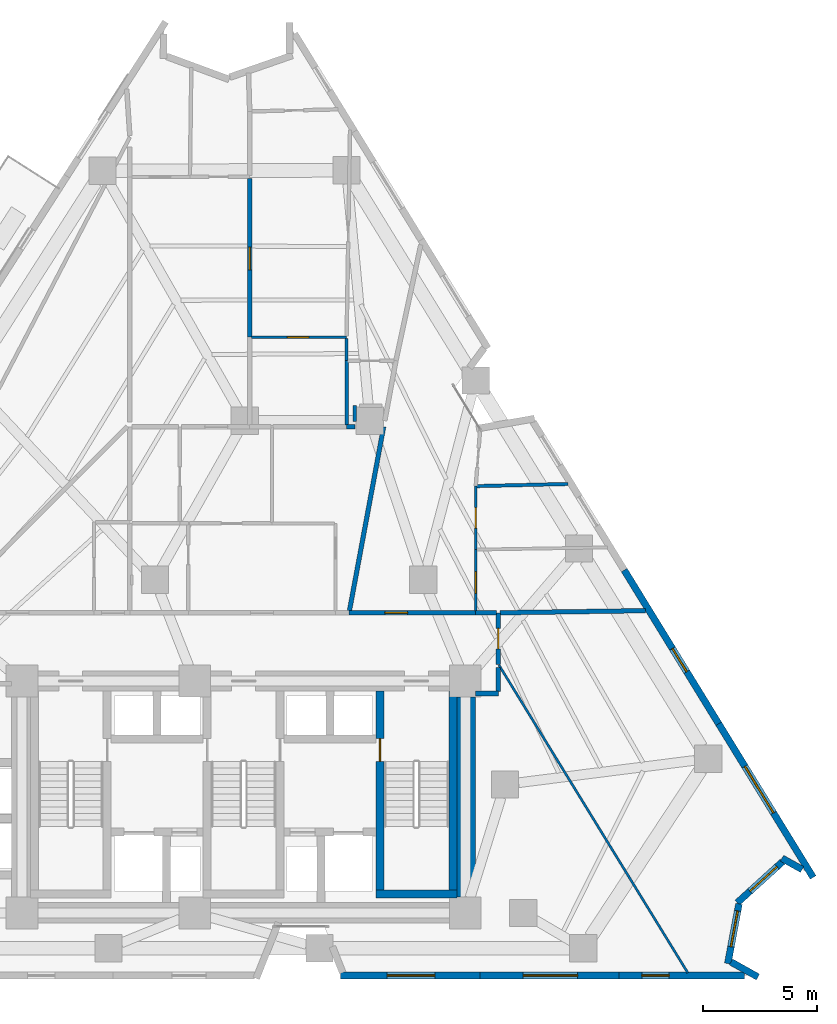
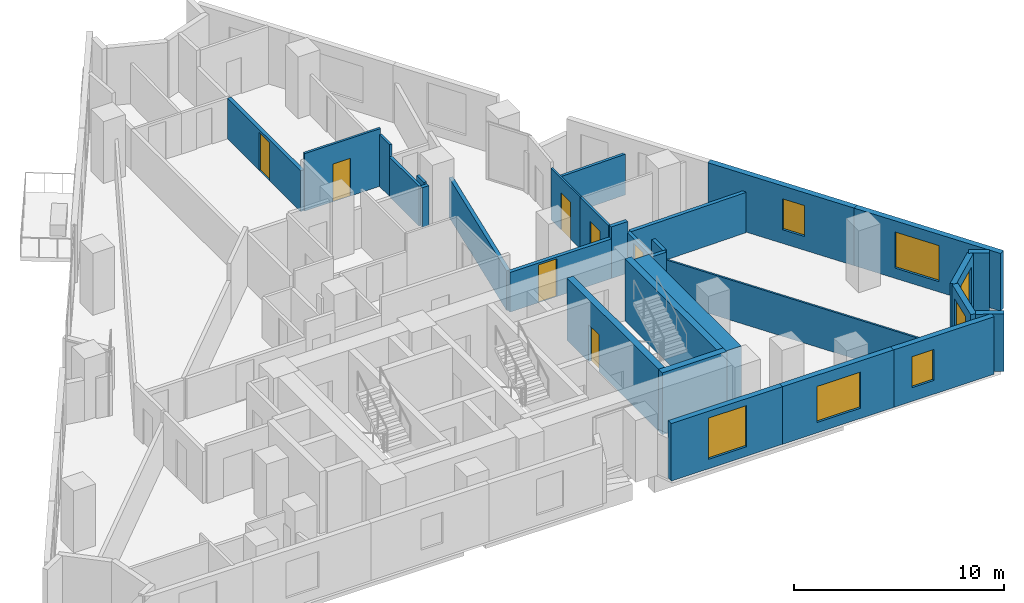
# One storey, part 8 of 13: 30 walls, 7 doors, 7 windows, 14 openings.
"""IFC4 building model written with IfcOpenShell, lengths in metres."""

from ifc_helpers import new_model, si_unit, direction, frame, frame_2d, origin, place, context, subcontext, project, spatial, rectangle, extrude, material, layer, layer_set, type_object, element, fill, save


model = new_model("IFC4")

# Units and contexts
model_context = context("Model", 3, precision=1e-05, world=origin(), true_north=direction((0.0, 1.0)))
body_context = subcontext(model_context, "Body", "Model", "MODEL_VIEW")
ifc_project = project(units=[si_unit("LENGTHUNIT", "METRE"), si_unit("AREAUNIT", "SQUARE_METRE"), si_unit("VOLUMEUNIT", "CUBIC_METRE"), si_unit("PLANEANGLEUNIT", "RADIAN"), si_unit("MASSUNIT", "GRAM", prefix="KILO")], contexts=[model_context])

# Site, building, storey
site_placement = place(None, origin())
site = spatial("IfcSite", under=ifc_project, at=site_placement, CompositionType="ELEMENT")
building_placement = place(site_placement, origin())
building = spatial("IfcBuilding", under=site, at=building_placement, Name="Almagre Mirador Tower", CompositionType="ELEMENT")
storey_placement = place(building_placement, frame((0.0, 0.0, 78.60009765625)))
storey = spatial("IfcBuildingStorey", under=building, at=storey_placement, Name="L19", CompositionType="ELEMENT", Elevation=78.60009765625)

# Wall, opening, window
ifc_material_1 = material(Name="Precast concrete C50/60", Category="concrete")
ifc_layer_1 = layer(ifc_material_1, 0.300048828125)
ifc_layer_set_1 = layer_set([ifc_layer_1], Name="Precast concrete C50/60")
wall_type_1 = type_object("IfcWallType", Name="WAL-EXT-300", PredefinedType="SOLIDWALL", material=ifc_layer_set_1)
wall_1_placement = place(storey_placement, frame((54.04052734375, 19.629150390625, 0.0), z_axis=(0.0, 0.0, 1.0), x_axis=(0.523661280051, -0.851926560083, 0.0)))
wall_1 = element("IfcWall", 1, at=wall_1_placement, inside=storey, type_object=wall_type_1, Name="L19 expressed almagre precast frame wall 16", PredefinedType="SOLIDWALL", context=body_context, shape_type="SweptSolid", body=[
    extrude(rectangle(XDim=7.93408203125, YDim=0.300048828125, at=frame_2d((3.967041015625, 0.0))), origin(), (0.0, 0.0, 1.0), 3.349853515625),
])
opening_1_placement = place(wall_1_placement, frame((4.050048828125, 0.0, 0.800048828125)))
opening_1 = element("IfcOpeningElement", 2, at=opening_1_placement, cuts=wall_1, Name="Opening WN-04", PredefinedType="OPENING", context=body_context, shape_type="SweptSolid", body=[
    extrude(rectangle(XDim=1.199951171875, YDim=1.800048828125, at=frame_2d((0.60009765625, 0.89990234375))), frame((0.0, 0.159902, 0.0), z_axis=(0.0, -1.0, 0.0), x_axis=(1.0, 0.0, 0.0)), (0.0, 0.0, 1.0), 0.320049),
])
ifc_material_2 = material(Name="Dark solar-control laminated hurricane glass", Category="glass")
window_type_1 = type_object("IfcWindowType", Name="WIN-1200X1800", PartitioningType="SINGLE_PANEL", PredefinedType="WINDOW", material=ifc_material_2)
window_1_placement = place(opening_1_placement, origin())
window_1 = element("IfcWindow", 3, at=window_1_placement, inside=storey, type_object=window_type_1, Name="L19 recessed hurricane window L19-RST-D", OverallHeight=1.800048828125, OverallWidth=1.199951171875, PartitioningType="SINGLE_PANEL", PredefinedType="WINDOW", context=body_context, shape_type="SweptSolid", body=[
    extrude(rectangle(XDim=1.199951171875, YDim=1.800048828125, at=frame_2d((0.60009765625, 0.89990234375))), frame((0.0, 0.030029296875, 0.0), z_axis=(0.0, -1.0, 0.0), x_axis=(1.0, 0.0, 0.0)), (0.0, 0.0, 1.0), 0.06005859375),
])
fill(opening_1, window_1)

wall_2_placement = place(storey_placement, frame((58.1953125, 12.869873046875, 0.0), z_axis=(0.0, 0.0, 1.0), x_axis=(0.52368361247, -0.851912832413, 0.0)))
wall_2 = element("IfcWall", 4, at=wall_2_placement, inside=storey, type_object=wall_type_1, Name="L19 expressed almagre precast frame wall 17", PredefinedType="SOLIDWALL", context=body_context, shape_type="SweptSolid", body=[
    extrude(rectangle(XDim=7.934326171875, YDim=0.300048828125, at=frame_2d((3.96728515625, 0.0))), origin(), (0.0, 0.0, 1.0), 3.349853515625),
])
opening_2_placement = place(wall_2_placement, frame((2.199951171875, 0.0, 0.60009765625)))
opening_2 = element("IfcOpeningElement", 5, at=opening_2_placement, cuts=wall_2, Name="Opening WN-02", PredefinedType="OPENING", context=body_context, shape_type="SweptSolid", body=[
    extrude(rectangle(XDim=2.39990234375, YDim=2.10009765625, at=frame_2d((1.199951171875, 1.050048828125))), frame((0.0, 0.159902, 0.0), z_axis=(0.0, -1.0, 0.0), x_axis=(1.0, 0.0, 0.0)), (0.0, 0.0, 1.0), 0.320049),
])
ifc_material_3 = material(Name="Dark solar-control laminated hurricane glass", Category="glass")
window_type_2 = type_object("IfcWindowType", Name="WIN-2400X2100", PartitioningType="TRIPLE_PANEL_VERTICAL", PredefinedType="WINDOW", material=ifc_material_3)
window_2_placement = place(opening_2_placement, origin())
window_2 = element("IfcWindow", 6, at=window_2_placement, inside=storey, type_object=window_type_2, Name="L19 recessed hurricane window L19-RST-D", OverallHeight=2.10009765625, OverallWidth=2.39990234375, PartitioningType="SINGLE_PANEL", PredefinedType="WINDOW", context=body_context, shape_type="SweptSolid", body=[
    extrude(rectangle(XDim=2.39990234375, YDim=2.10009765625, at=frame_2d((1.199951171875, 1.050048828125))), frame((0.0, 0.030029296875, 0.0), z_axis=(0.0, -1.0, 0.0), x_axis=(1.0, 0.0, 0.0)), (0.0, 0.0, 1.0), 0.06005859375),
])
fill(opening_2, window_2)

# Wall
wall_3_placement = place(storey_placement, frame((61.862548828125, 6.4619140625, 0.0), z_axis=(0.0, 0.0, 1.0), x_axis=(-0.872678236231, 0.488295705499, 0.0)))
element("IfcWall", 7, at=wall_3_placement, inside=storey, type_object=wall_type_1, Name="L19 expressed almagre precast frame wall 18", PredefinedType="SOLIDWALL", context=body_context, shape_type="SweptSolid", body=[
    extrude(rectangle(XDim=1.014892578125, YDim=0.300048828125, at=frame_2d((0.50732421875, 0.0))), origin(), (0.0, 0.0, 1.0), 3.349853515625),
])

# Wall, opening, window
wall_4_placement = place(storey_placement, frame((61.002685546875, 6.8017578125, 0.0), z_axis=(0.0, 0.0, 1.0), x_axis=(-0.741163448221, -0.671324618215, 0.0)))
wall_4 = element("IfcWall", 8, at=wall_4_placement, inside=storey, type_object=wall_type_1, Name="L19 expressed almagre precast frame wall 19", PredefinedType="SOLIDWALL", context=body_context, shape_type="SweptSolid", body=[
    extrude(rectangle(XDim=2.688232421875, YDim=0.300048828125, at=frame_2d((1.34423828125, 0.0))), origin(), (0.0, 0.0, 1.0), 3.349853515625),
])
opening_3_placement = place(wall_4_placement, frame((0.330078125, 0.0, 0.550048828125)))
opening_3 = element("IfcOpeningElement", 9, at=opening_3_placement, cuts=wall_4, Name="Opening WN-06", PredefinedType="OPENING", context=body_context, shape_type="SweptSolid", body=[
    extrude(rectangle(XDim=1.60009765625, YDim=2.199951171875, at=frame_2d((0.800048828125, 1.10009765625))), frame((0.0, 0.159902, 0.0), z_axis=(0.0, -1.0, 0.0), x_axis=(1.0, 0.0, 0.0)), (0.0, 0.0, 1.0), 0.320049),
])
ifc_material_4 = material(Name="Dark solar-control laminated hurricane glass", Category="glass")
window_type_3 = type_object("IfcWindowType", Name="WIN-1600X2200", PartitioningType="DOUBLE_PANEL_VERTICAL", PredefinedType="WINDOW", material=ifc_material_4)
window_3_placement = place(opening_3_placement, origin())
window_3 = element("IfcWindow", 10, at=window_3_placement, inside=storey, type_object=window_type_3, Name="L19 recessed hurricane window L19-RST-D", OverallHeight=2.199951171875, OverallWidth=1.60009765625, PartitioningType="SINGLE_PANEL", PredefinedType="WINDOW", context=body_context, shape_type="SweptSolid", body=[
    extrude(rectangle(XDim=1.60009765625, YDim=2.199951171875, at=frame_2d((0.800048828125, 1.10009765625))), frame((0.0, 0.030029296875, 0.0), z_axis=(0.0, -1.0, 0.0), x_axis=(1.0, 0.0, 0.0)), (0.0, 0.0, 1.0), 0.06005859375),
])
fill(opening_3, window_3)

wall_5_placement = place(storey_placement, frame((59.08740234375, 4.948486328125, 0.0), z_axis=(0.0, 0.0, 1.0), x_axis=(-0.183786629236, -0.982966161632, 0.0)))
wall_5 = element("IfcWall", 11, at=wall_5_placement, inside=storey, type_object=wall_type_1, Name="L19 expressed almagre precast frame wall 20", PredefinedType="SOLIDWALL", context=body_context, shape_type="SweptSolid", body=[
    extrude(rectangle(XDim=2.672607421875, YDim=0.300048828125, at=frame_2d((1.33642578125, 0.0))), origin(), (0.0, 0.0, 1.0), 3.349853515625),
])
opening_4_placement = place(wall_5_placement, frame((0.31494140625, 0.0, 0.550048828125)))
opening_4 = element("IfcOpeningElement", 12, at=opening_4_placement, cuts=wall_5, Name="Opening WN-06", PredefinedType="OPENING", context=body_context, shape_type="SweptSolid", body=[
    extrude(rectangle(XDim=1.60009765625, YDim=2.199951171875, at=frame_2d((0.800048828125, 1.10009765625))), frame((0.0, 0.159902, 0.0), z_axis=(0.0, -1.0, 0.0), x_axis=(1.0, 0.0, 0.0)), (0.0, 0.0, 1.0), 0.320049),
])
window_4_placement = place(opening_4_placement, origin())
window_4 = element("IfcWindow", 13, at=window_4_placement, inside=storey, type_object=window_type_3, Name="L19 recessed hurricane window L19-RST-D", OverallHeight=2.199951171875, OverallWidth=1.60009765625, PartitioningType="SINGLE_PANEL", PredefinedType="WINDOW", context=body_context, shape_type="SweptSolid", body=[
    extrude(rectangle(XDim=1.60009765625, YDim=2.199951171875, at=frame_2d((0.800048828125, 1.10009765625))), frame((0.0, 0.030029296875, 0.0), z_axis=(0.0, -1.0, 0.0), x_axis=(1.0, 0.0, 0.0)), (0.0, 0.0, 1.0), 0.06005859375),
])
fill(opening_4, window_4)

# Wall
wall_6_placement = place(storey_placement, frame((58.7353515625, 2.3955078125, 0.0), z_axis=(0.0, 0.0, 1.0), x_axis=(0.872747775204, -0.488171405221, 0.0)))
element("IfcWall", 14, at=wall_6_placement, inside=storey, type_object=wall_type_1, Name="L19 expressed almagre precast frame wall 21", PredefinedType="SOLIDWALL", context=body_context, shape_type="SweptSolid", body=[
    extrude(rectangle(XDim=1.35986328125, YDim=0.300048828125, at=frame_2d((0.679931640625, 0.0))), origin(), (0.0, 0.0, 1.0), 3.349853515625),
])

# Wall, opening, window
wall_7_placement = place(storey_placement, frame((59.340087890625, 1.800048828125, 0.0), z_axis=(0.0, 0.0, 1.0), x_axis=(-1.0, 0.0, 0.0)))
wall_7 = element("IfcWall", 15, at=wall_7_placement, inside=storey, type_object=wall_type_1, Name="L19 expressed almagre precast frame wall 22", PredefinedType="SOLIDWALL", context=body_context, shape_type="SweptSolid", body=[
    extrude(rectangle(XDim=5.524169921875, YDim=0.300048828125, at=frame_2d((2.76220703125, 0.0))), origin(), (0.0, 0.0, 1.0), 3.349853515625),
])
opening_5_placement = place(wall_7_placement, frame((3.324951171875, 0.0, 0.800048828125)))
opening_5 = element("IfcOpeningElement", 16, at=opening_5_placement, cuts=wall_7, Name="Opening WN-04", PredefinedType="OPENING", context=body_context, shape_type="SweptSolid", body=[
    extrude(rectangle(XDim=1.199951171875, YDim=1.800048828125, at=frame_2d((0.60009765625, 0.89990234375))), frame((0.0, 0.159902, 0.0), z_axis=(0.0, -1.0, 0.0), x_axis=(1.0, 0.0, 0.0)), (0.0, 0.0, 1.0), 0.320049),
])
window_5_placement = place(opening_5_placement, origin())
window_5 = element("IfcWindow", 17, at=window_5_placement, inside=storey, type_object=window_type_1, Name="L19 recessed hurricane window L19-RST-C", OverallHeight=1.800048828125, OverallWidth=1.199951171875, PartitioningType="SINGLE_PANEL", PredefinedType="WINDOW", context=body_context, shape_type="SweptSolid", body=[
    extrude(rectangle(XDim=1.199951171875, YDim=1.800048828125, at=frame_2d((0.60009765625, 0.89990234375))), frame((0.0, 0.030029296875, 0.0), z_axis=(0.0, -1.0, 0.0), x_axis=(1.0, 0.0, 0.0)), (0.0, 0.0, 1.0), 0.06005859375),
])
fill(opening_5, window_5)

wall_8_placement = place(storey_placement, frame((53.81591796875, 1.800048828125, 0.0), z_axis=(0.0, 0.0, 1.0), x_axis=(-1.0, 0.0, 0.0)))
wall_8 = element("IfcWall", 18, at=wall_8_placement, inside=storey, type_object=wall_type_1, Name="L19 expressed almagre precast frame wall 23", PredefinedType="SOLIDWALL", context=body_context, shape_type="SweptSolid", body=[
    extrude(rectangle(XDim=6.1240234375, YDim=0.300048828125, at=frame_2d((3.06201171875, 0.0))), origin(), (0.0, 0.0, 1.0), 3.349853515625),
])
opening_6_placement = place(wall_8_placement, frame((1.824951171875, 0.0, 0.60009765625)))
opening_6 = element("IfcOpeningElement", 19, at=opening_6_placement, cuts=wall_8, Name="Opening WN-02", PredefinedType="OPENING", context=body_context, shape_type="SweptSolid", body=[
    extrude(rectangle(XDim=2.39990234375, YDim=2.10009765625, at=frame_2d((1.199951171875, 1.050048828125))), frame((0.0, 0.159902, 0.0), z_axis=(0.0, -1.0, 0.0), x_axis=(1.0, 0.0, 0.0)), (0.0, 0.0, 1.0), 0.320049),
])
window_6_placement = place(opening_6_placement, origin())
window_6 = element("IfcWindow", 20, at=window_6_placement, inside=storey, type_object=window_type_2, Name="L19 recessed hurricane window L19-RST-C", OverallHeight=2.10009765625, OverallWidth=2.39990234375, PartitioningType="SINGLE_PANEL", PredefinedType="WINDOW", context=body_context, shape_type="SweptSolid", body=[
    extrude(rectangle(XDim=2.39990234375, YDim=2.10009765625, at=frame_2d((1.199951171875, 1.050048828125))), frame((0.0, 0.030029296875, 0.0), z_axis=(0.0, -1.0, 0.0), x_axis=(1.0, 0.0, 0.0)), (0.0, 0.0, 1.0), 0.06005859375),
])
fill(opening_6, window_6)

wall_9_placement = place(storey_placement, frame((47.69189453125, 1.800048828125, 0.0), z_axis=(0.0, 0.0, 1.0), x_axis=(-1.0, 0.0, 0.0)))
wall_9 = element("IfcWall", 21, at=wall_9_placement, inside=storey, type_object=wall_type_1, Name="L19 expressed almagre precast frame wall 24", PredefinedType="SOLIDWALL", context=body_context, shape_type="SweptSolid", body=[
    extrude(rectangle(XDim=6.123779296875, YDim=0.300048828125, at=frame_2d((3.06201171875, 0.0))), origin(), (0.0, 0.0, 1.0), 3.349853515625),
])
opening_7_placement = place(wall_9_placement, frame((1.97509765625, 0.0, 0.550048828125)))
opening_7 = element("IfcOpeningElement", 22, at=opening_7_placement, cuts=wall_9, Name="Opening WN-05", PredefinedType="OPENING", context=body_context, shape_type="SweptSolid", body=[
    extrude(rectangle(XDim=2.10009765625, YDim=2.39990234375, at=frame_2d((1.050048828125, 1.199951171875))), frame((0.0, 0.159902, 0.0), z_axis=(0.0, -1.0, 0.0), x_axis=(1.0, 0.0, 0.0)), (0.0, 0.0, 1.0), 0.320049),
])
ifc_material_5 = material(Name="Dark solar-control laminated hurricane glass", Category="glass")
window_type_4 = type_object("IfcWindowType", Name="WIN-2100X2400", PartitioningType="DOUBLE_PANEL_VERTICAL", PredefinedType="WINDOW", material=ifc_material_5)
window_7_placement = place(opening_7_placement, origin())
window_7 = element("IfcWindow", 23, at=window_7_placement, inside=storey, type_object=window_type_4, Name="L19 recessed hurricane window L19-RST-C", OverallHeight=2.39990234375, OverallWidth=2.10009765625, PartitioningType="SINGLE_PANEL", PredefinedType="WINDOW", context=body_context, shape_type="SweptSolid", body=[
    extrude(rectangle(XDim=2.10009765625, YDim=2.39990234375, at=frame_2d((1.050048828125, 1.199951171875))), frame((0.0, 0.030029296875, 0.0), z_axis=(0.0, -1.0, 0.0), x_axis=(1.0, 0.0, 0.0)), (0.0, 0.0, 1.0), 0.06005859375),
])
fill(opening_7, window_7)

# Wall
ifc_material_6 = material(Name="Gypsum acoustic stud partition", Category="other")
ifc_layer_2 = layer(ifc_material_6, 0.10009765625)
ifc_layer_set_2 = layer_set([ifc_layer_2], Name="Gypsum acoustic stud partition")
wall_type_2 = type_object("IfcWallType", Name="WAL-PRT-100-CLS", PredefinedType="PARTITIONING", material=ifc_layer_set_2)
wall_10_placement = place(storey_placement, frame((48.52880859375, 15.453125, 0.0), z_axis=(0.0, 0.0, 1.0), x_axis=(0.52306290803, -0.852294077325, 0.0)))
element("IfcWall", 24, at=wall_10_placement, inside=storey, type_object=wall_type_2, Name="L19 interior partition 023", PredefinedType="PARTITIONING", context=body_context, shape_type="SweptSolid", body=[
    extrude(rectangle(XDim=15.885498046875, YDim=0.10009765625, at=frame_2d((7.94287109375, 0.0))), origin(), (0.0, 0.0, 1.0), 2.344970703125),
])

# Wall, opening, door
wall_11_placement = place(storey_placement, frame((47.510009765625, 20.530029296875, 0.0), z_axis=(0.0, 0.0, 1.0), x_axis=(0.0, 1.0, 0.0)))
wall_11 = element("IfcWall", 25, at=wall_11_placement, inside=storey, type_object=wall_type_2, Name="L19 interior partition 053", PredefinedType="PARTITIONING", context=body_context, shape_type="SweptSolid", body=[
    extrude(rectangle(XDim=2.7900390625, YDim=0.10009765625, at=frame_2d((1.39501953125, 0.0))), origin(), (0.0, 0.0, 1.0), 3.010009765625),
])
opening_8_placement = place(wall_11_placement, frame((0.945068359375, 0.0, 0.0)))
opening_8 = element("IfcOpeningElement", 26, at=opening_8_placement, cuts=wall_11, Name="Opening UD-02", PredefinedType="OPENING", context=body_context, shape_type="SweptSolid", body=[
    extrude(rectangle(XDim=0.89990234375, YDim=2.14990234375, at=frame_2d((0.449951171875, 1.074951171875))), frame((0.0, 0.060049, 0.0), z_axis=(0.0, -1.0, 0.0), x_axis=(1.0, 0.0, 0.0)), (0.0, 0.0, 1.0), 0.120098),
])
ifc_material_7 = material(Name="Solid American walnut timber", Category="wood")
door_type_1 = type_object("IfcDoorType", Name="DOR-UNR-900X2150", OperationType="NOTDEFINED", PredefinedType="DOOR", material=ifc_material_7)
door_1_placement = place(opening_8_placement, origin())
door_1 = element("IfcDoor", 27, at=door_1_placement, inside=storey, type_object=door_type_1, Name="DR-0657 L19 interior door L19-UJ-LV to L19-UJ-MB", OperationType="SINGLE_SWING_LEFT", OverallHeight=2.14990234375, OverallWidth=0.89990234375, PredefinedType="DOOR", context=body_context, shape_type="SweptSolid", body=[
    extrude(rectangle(XDim=0.89990234375, YDim=2.14990234375, at=frame_2d((0.449951171875, 1.074951171875))), frame((0.0, 0.02490234375, 0.0), z_axis=(0.0, -1.0, 0.0), x_axis=(1.0, 0.0, 0.0)), (0.0, 0.0, 1.0), 0.050048828125),
])
fill(opening_8, door_1)

ifc_material_8 = material(Name="Gypsum acoustic stud partition", Category="other")
ifc_layer_3 = layer(ifc_material_8, 0.125)
ifc_layer_set_3 = layer_set([ifc_layer_3], Name="Gypsum acoustic stud partition")
wall_type_3 = type_object("IfcWallType", Name="WAL-PRT-125-UTL", PredefinedType="PARTITIONING", material=ifc_layer_set_3)
wall_12_placement = place(storey_placement, frame((47.510009765625, 17.8349609375, 0.0), z_axis=(0.0, 0.0, 1.0), x_axis=(0.0, 1.0, 0.0)))
wall_12 = element("IfcWall", 28, at=wall_12_placement, inside=storey, type_object=wall_type_3, Name="L19 interior partition 052", PredefinedType="PARTITIONING", context=body_context, shape_type="SweptSolid", body=[
    extrude(rectangle(XDim=2.695068359375, YDim=0.125, at=frame_2d((1.34765625, 0.0))), origin(), (0.0, 0.0, 1.0), 3.010009765625),
])
opening_9_placement = place(wall_12_placement, frame((0.7705078125, 0.0, 0.0)))
opening_9 = element("IfcOpeningElement", 29, at=opening_9_placement, cuts=wall_12, Name="Opening UD-01", PredefinedType="OPENING", context=body_context, shape_type="SweptSolid", body=[
    extrude(rectangle(XDim=0.949951171875, YDim=2.199951171875, at=frame_2d((0.47509765625, 1.10009765625))), frame((0.0, 0.0725, 0.0), z_axis=(0.0, -1.0, 0.0), x_axis=(1.0, 0.0, 0.0)), (0.0, 0.0, 1.0), 0.145),
])
ifc_material_9 = material(Name="Solid American walnut timber", Category="wood")
door_type_2 = type_object("IfcDoorType", Name="DOR-UNR-950X2200", OperationType="NOTDEFINED", PredefinedType="DOOR", material=ifc_material_9)
door_2_placement = place(opening_9_placement, origin())
door_2 = element("IfcDoor", 30, at=door_2_placement, inside=storey, type_object=door_type_2, Name="DR-0655 L19 interior door L19-UJ-LV to L19-UJ-KT", OperationType="SINGLE_SWING_LEFT", OverallHeight=2.199951171875, OverallWidth=0.949951171875, PredefinedType="DOOR", context=body_context, shape_type="SweptSolid", body=[
    extrude(rectangle(XDim=0.949951171875, YDim=2.199951171875, at=frame_2d((0.47509765625, 1.10009765625))), frame((0.0, 0.02490234375, 0.0), z_axis=(0.0, -1.0, 0.0), x_axis=(1.0, 0.0, 0.0)), (0.0, 0.0, 1.0), 0.050048828125),
])
fill(opening_9, door_2)

wall_13_placement = place(storey_placement, frame((37.655029296875, 29.8701171875, 0.0), z_axis=(0.0, 0.0, 1.0), x_axis=(1.0, 0.0, 0.0)))
wall_13 = element("IfcWall", 31, at=wall_13_placement, inside=storey, type_object=wall_type_3, Name="L19 interior partition 066", PredefinedType="PARTITIONING", context=body_context, shape_type="SweptSolid", body=[
    extrude(rectangle(XDim=4.175048828125, YDim=0.125, at=frame_2d((2.08740234375, 0.0))), origin(), (0.0, 0.0, 1.0), 3.349853515625),
])
opening_10_placement = place(wall_13_placement, frame((1.570068359375, 0.0, 0.0)))
opening_10 = element("IfcOpeningElement", 32, at=opening_10_placement, cuts=wall_13, Name="Opening UD-01", PredefinedType="OPENING", context=body_context, shape_type="SweptSolid", body=[
    extrude(rectangle(XDim=0.949951171875, YDim=2.199951171875, at=frame_2d((0.47509765625, 1.10009765625))), frame((0.0, 0.0725, 0.0), z_axis=(0.0, -1.0, 0.0), x_axis=(1.0, 0.0, 0.0)), (0.0, 0.0, 1.0), 0.145),
])
door_3_placement = place(opening_10_placement, origin())
door_3 = element("IfcDoor", 33, at=door_3_placement, inside=storey, type_object=door_type_2, Name="DR-0660 L19 interior door L19-UL-LV to L19-UL-KT", OperationType="SINGLE_SWING_RIGHT", OverallHeight=2.199951171875, OverallWidth=0.949951171875, PredefinedType="DOOR", context=body_context, shape_type="SweptSolid", body=[
    extrude(rectangle(XDim=0.949951171875, YDim=2.199951171875, at=frame_2d((0.47509765625, 1.10009765625))), frame((0.0, 0.02490234375, 0.0), z_axis=(0.0, -1.0, 0.0), x_axis=(1.0, 0.0, 0.0)), (0.0, 0.0, 1.0), 0.050048828125),
])
fill(opening_10, door_3)

# Walls
wall_14_placement = place(storey_placement, frame((41.830078125, 28.840087890625, 0.0), z_axis=(0.0, 0.0, 1.0), x_axis=(0.0, 1.0, 0.0)))
element("IfcWall", 34, at=wall_14_placement, inside=storey, type_object=wall_type_3, Name="L19 interior partition 068", PredefinedType="PARTITIONING", context=body_context, shape_type="SweptSolid", body=[
    extrude(rectangle(XDim=0.982421875, YDim=0.125, at=frame_2d((0.4912109375, 0.0))), origin(), (0.0, 0.0, 1.0), 3.010009765625),
])
ifc_material_10 = material(Name="Gypsum acoustic stud partition", Category="other")
ifc_layer_4 = layer(ifc_material_10, 0.14990234375)
ifc_layer_set_4 = layer_set([ifc_layer_4], Name="Gypsum acoustic stud partition")
wall_type_4 = type_object("IfcWallType", Name="WAL-PRT-150-STD", PredefinedType="PARTITIONING", material=ifc_layer_set_4)
wall_15_placement = place(storey_placement, frame((47.570068359375, 23.3212890625, 0.0), z_axis=(0.0, 0.0, 1.0), x_axis=(0.999720663017, 0.023634634246, 0.0)))
element("IfcWall", 35, at=wall_15_placement, inside=storey, type_object=wall_type_4, Name="L19 interior partition 056", PredefinedType="PARTITIONING", context=body_context, shape_type="SweptSolid", body=[
    extrude(rectangle(XDim=4.008056640625, YDim=0.14990234375, at=frame_2d((2.00390625, 0.0))), origin(), (0.0, 0.0, 1.0), 2.369873046875),
])
wall_16_placement = place(storey_placement, frame((41.830078125, 26.014892578125, 0.0), z_axis=(0.0, 0.0, 1.0), x_axis=(0.0, 1.0, 0.0)))
element("IfcWall", 36, at=wall_16_placement, inside=storey, type_object=wall_type_4, Name="L19 interior partition 069", PredefinedType="PARTITIONING", context=body_context, shape_type="SweptSolid", body=[
    extrude(rectangle(XDim=2.8251953125, YDim=0.14990234375, at=frame_2d((1.41259765625, 0.0))), origin(), (0.0, 0.0, 1.0), 2.308837890625),
])
wall_17_placement = place(storey_placement, frame((42.18994140625, 26.169921875, 0.0), z_axis=(0.0, 0.0, 1.0), x_axis=(0.0, 1.0, 0.0)))
element("IfcWall", 37, at=wall_17_placement, inside=storey, type_object=wall_type_4, Name="L19 interior partition 072", PredefinedType="PARTITIONING", context=body_context, shape_type="SweptSolid", body=[
    extrude(rectangle(XDim=0.690185546875, YDim=0.14990234375, at=frame_2d((0.34521484375, 0.0))), origin(), (0.0, 0.0, 1.0), 2.308837890625),
])
ifc_material_11 = material(Name="Gypsum acoustic stud partition", Category="other")
ifc_layer_5 = layer(ifc_material_11, 0.199951171875)
ifc_layer_set_5 = layer_set([ifc_layer_5], Name="Gypsum acoustic stud partition")
wall_type_5 = type_object("IfcWallType", Name="WAL-PRT-200-EI60", PredefinedType="PARTITIONING", material=ifc_layer_set_5)
wall_18_placement = place(storey_placement, frame((47.5, 14.199951171875, 0.0), z_axis=(0.0, 0.0, 1.0), x_axis=(1.0, 0.0, 0.0)))
element("IfcWall", 38, at=wall_18_placement, inside=storey, type_object=wall_type_5, Name="L19 interior partition 003", PredefinedType="PARTITIONING", context=body_context, shape_type="SweptSolid", body=[
    extrude(rectangle(XDim=1.0, YDim=0.199951171875, at=frame_2d((0.5, 0.0))), origin(), (0.0, 0.0, 1.0), 3.349853515625),
])
wall_19_placement = place(storey_placement, frame((48.5, 14.284912109375, 0.0), z_axis=(0.0, 0.0, 1.0), x_axis=(0.0, 1.0, 0.0)))
element("IfcWall", 39, at=wall_19_placement, inside=storey, type_object=wall_type_5, Name="L19 interior partition 004", PredefinedType="PARTITIONING", context=body_context, shape_type="SweptSolid", body=[
    extrude(rectangle(XDim=1.065185546875, YDim=0.199951171875, at=frame_2d((0.53271484375, 0.0))), origin(), (0.0, 0.0, 1.0), 3.349853515625),
])

# Wall, opening, door
wall_20_placement = place(storey_placement, frame((48.5, 15.469970703125, 0.0), z_axis=(0.0, 0.0, 1.0), x_axis=(0.0, 1.0, 0.0)))
wall_20 = element("IfcWall", 40, at=wall_20_placement, inside=storey, type_object=wall_type_5, Name="L19 interior partition 005", PredefinedType="PARTITIONING", context=body_context, shape_type="SweptSolid", body=[
    extrude(rectangle(XDim=2.280029296875, YDim=0.199951171875, at=frame_2d((1.14013671875, 0.0))), origin(), (0.0, 0.0, 1.0), 2.344970703125),
])
opening_11_placement = place(wall_20_placement, frame((0.68994140625, 0.0, 0.0)))
opening_11 = element("IfcOpeningElement", 41, at=opening_11_placement, cuts=wall_20, Name="Opening ID-03", PredefinedType="OPENING", context=body_context, shape_type="SweptSolid", body=[
    extrude(rectangle(XDim=0.89990234375, YDim=2.10009765625, at=frame_2d((0.449951171875, 1.050048828125))), frame((0.0, 0.110098, 0.0), z_axis=(0.0, -1.0, 0.0), x_axis=(1.0, 0.0, 0.0)), (0.0, 0.0, 1.0), 0.219951),
])
ifc_material_12 = material(Name="Fire-rated hollow steel", Category="steel")
door_type_3 = type_object("IfcDoorType", Name="DOR-FD60-900X2100", OperationType="NOTDEFINED", PredefinedType="DOOR", material=ifc_material_12)
door_4_placement = place(opening_11_placement, origin())
door_4 = element("IfcDoor", 42, at=door_4_placement, inside=storey, type_object=door_type_3, Name="DR-0643 L19 interior door L19-RCOR to L19-RST-D", OperationType="SINGLE_SWING_LEFT", OverallHeight=2.10009765625, OverallWidth=0.89990234375, PredefinedType="DOOR", context=body_context, shape_type="SweptSolid", body=[
    extrude(rectangle(XDim=0.89990234375, YDim=2.10009765625, at=frame_2d((0.449951171875, 1.050048828125))), frame((0.0, 0.02490234375, 0.0), z_axis=(0.0, -1.0, 0.0), x_axis=(1.0, 0.0, 0.0)), (0.0, 0.0, 1.0), 0.050048828125),
])
fill(opening_11, door_4)

wall_21_placement = place(storey_placement, frame((47.510009765625, 17.75, 0.0), z_axis=(0.0, 0.0, 1.0), x_axis=(-1.0, 0.0, 0.0)))
wall_21 = element("IfcWall", 43, at=wall_21_placement, inside=storey, type_object=wall_type_5, Name="L19 interior partition 013", PredefinedType="PARTITIONING", context=body_context, shape_type="SweptSolid", body=[
    extrude(rectangle(XDim=5.570068359375, YDim=0.199951171875, at=frame_2d((2.78515625, 0.0))), origin(), (0.0, 0.0, 1.0), 2.308837890625),
])
opening_12_placement = place(wall_21_placement, frame((3.0, 0.0, 0.0)))
opening_12 = element("IfcOpeningElement", 44, at=opening_12_placement, cuts=wall_21, Name="Opening ID-01", PredefinedType="OPENING", context=body_context, shape_type="SweptSolid", body=[
    extrude(rectangle(XDim=1.0, YDim=2.199951171875, at=frame_2d((0.5, 1.10009765625))), frame((0.0, 0.110098, 0.0), z_axis=(0.0, -1.0, 0.0), x_axis=(1.0, 0.0, 0.0)), (0.0, 0.0, 1.0), 0.219951),
])
ifc_material_13 = material(Name="Fire-rated walnut timber", Category="wood")
door_type_4 = type_object("IfcDoorType", Name="DOR-FD60-1000X2200", OperationType="NOTDEFINED", PredefinedType="DOOR", material=ifc_material_13)
door_5_placement = place(opening_12_placement, origin())
door_5 = element("IfcDoor", 45, at=door_5_placement, inside=storey, type_object=door_type_4, Name="DR-0654 L19 interior door L19-RCOR to L19-UJ-LV", OperationType="SINGLE_SWING_RIGHT", OverallHeight=2.199951171875, OverallWidth=1.0, PredefinedType="DOOR", context=body_context, shape_type="SweptSolid", body=[
    extrude(rectangle(XDim=1.0, YDim=2.199951171875, at=frame_2d((0.5, 1.10009765625))), frame((0.0, 0.02490234375, 0.0), z_axis=(0.0, -1.0, 0.0), x_axis=(1.0, 0.0, 0.0)), (0.0, 0.0, 1.0), 0.050048828125),
])
fill(opening_12, door_5)

# Walls
wall_22_placement = place(storey_placement, frame((48.4150390625, 17.75, 0.0), z_axis=(0.0, 0.0, 1.0), x_axis=(-1.0, 0.0, 0.0)))
element("IfcWall", 46, at=wall_22_placement, inside=storey, type_object=wall_type_5, Name="L19 interior partition 014", PredefinedType="PARTITIONING", context=body_context, shape_type="SweptSolid", body=[
    extrude(rectangle(XDim=0.905029296875, YDim=0.199951171875, at=frame_2d((0.45263671875, 0.0))), origin(), (0.0, 0.0, 1.0), 3.010009765625),
])
wall_23_placement = place(storey_placement, frame((54.98291015625, 17.843994140625, 0.0), z_axis=(0.0, 0.0, 1.0), x_axis=(-0.999894330503, -0.014537118977, 0.0)))
element("IfcWall", 47, at=wall_23_placement, inside=storey, type_object=wall_type_5, Name="L19 interior partition 024", PredefinedType="PARTITIONING", context=body_context, shape_type="SweptSolid", body=[
    extrude(rectangle(XDim=6.398681640625, YDim=0.199951171875, at=frame_2d((3.19921875, 0.0))), origin(), (0.0, 0.0, 1.0), 2.344970703125),
])
wall_24_placement = place(storey_placement, frame((41.95556640625, 17.83349609375, 0.0), z_axis=(0.0, 0.0, 1.0), x_axis=(0.182682671213, 0.98317192883, 0.0)))
element("IfcWall", 48, at=wall_24_placement, inside=storey, type_object=wall_type_5, Name="L19 interior partition 044", PredefinedType="PARTITIONING", context=body_context, shape_type="SweptSolid", body=[
    extrude(rectangle(XDim=8.235107421875, YDim=0.199951171875, at=frame_2d((4.11767578125, 0.0))), origin(), (0.0, 0.0, 1.0), 2.308837890625),
])
wall_25_placement = place(storey_placement, frame((42.18994140625, 25.929931640625, 0.0), z_axis=(0.0, 0.0, 1.0), x_axis=(-1.0, 0.0, 0.0)))
element("IfcWall", 49, at=wall_25_placement, inside=storey, type_object=wall_type_5, Name="L19 interior partition 046", PredefinedType="PARTITIONING", context=body_context, shape_type="SweptSolid", body=[
    extrude(rectangle(XDim=0.35986328125, YDim=0.199951171875, at=frame_2d((0.179931640625, 0.0))), origin(), (0.0, 0.0, 1.0), 2.308837890625),
])

# Wall, opening, door
wall_26_placement = place(storey_placement, frame((37.570068359375, 29.8701171875, 0.0), z_axis=(0.0, 0.0, 1.0), x_axis=(0.0, 1.0, 0.0)))
wall_26 = element("IfcWall", 50, at=wall_26_placement, inside=storey, type_object=wall_type_5, Name="L19 interior partition 060", PredefinedType="PARTITIONING", context=body_context, shape_type="SweptSolid", body=[
    extrude(rectangle(XDim=6.989990234375, YDim=0.199951171875, at=frame_2d((3.4951171875, 0.0))), origin(), (0.0, 0.0, 1.0), 2.369873046875),
])
opening_13_placement = place(wall_26_placement, frame((2.966064453125, 0.0, 0.0)))
opening_13 = element("IfcOpeningElement", 51, at=opening_13_placement, cuts=wall_26, Name="Opening ID-01", PredefinedType="OPENING", context=body_context, shape_type="SweptSolid", body=[
    extrude(rectangle(XDim=1.0, YDim=2.199951171875, at=frame_2d((0.5, 1.10009765625))), frame((0.0, 0.110098, 0.0), z_axis=(0.0, -1.0, 0.0), x_axis=(1.0, 0.0, 0.0)), (0.0, 0.0, 1.0), 0.219951),
])
door_6_placement = place(opening_13_placement, origin())
door_6 = element("IfcDoor", 52, at=door_6_placement, inside=storey, type_object=door_type_4, Name="DR-0665 L19 interior door L19-UK-ST to L19-UL-LV", OperationType="SINGLE_SWING_LEFT", OverallHeight=2.199951171875, OverallWidth=1.0, PredefinedType="DOOR", context=body_context, shape_type="SweptSolid", body=[
    extrude(rectangle(XDim=1.0, YDim=2.199951171875, at=frame_2d((0.5, 1.10009765625))), frame((0.0, 0.02490234375, 0.0), z_axis=(0.0, -1.0, 0.0), x_axis=(1.0, 0.0, 0.0)), (0.0, 0.0, 1.0), 0.050048828125),
])
fill(opening_13, door_6)

ifc_material_14 = material(Name="Concrete C60/75", Category="concrete")
ifc_layer_6 = layer(ifc_material_14, 0.35009765625)
ifc_layer_set_6 = layer_set([ifc_layer_6], Name="Concrete C60/75")
wall_type_6 = type_object("IfcWallType", Name="WAL-SHF-350", PredefinedType="SOLIDWALL", material=ifc_layer_set_6)
wall_27_placement = place(storey_placement, frame((43.300048828125, 5.199951171875, 0.0), z_axis=(0.0, 0.0, 1.0), x_axis=(0.0, 1.0, 0.0)))
wall_27 = element("IfcWall", 53, at=wall_27_placement, inside=storey, type_object=wall_type_6, Name="L19 shaft wall ST3-W", PredefinedType="SOLIDWALL", context=body_context, shape_type="SweptSolid", body=[
    extrude(rectangle(XDim=9.10009765625, YDim=0.35009765625, at=frame_2d((4.550048828125, 0.0))), origin(), (0.0, 0.0, 1.0), 3.599853515625),
])
opening_14_placement = place(wall_27_placement, frame((6.02001953125, 0.0, 0.0)))
opening_14 = element("IfcOpeningElement", 54, at=opening_14_placement, cuts=wall_27, Name="Opening FD-01", PredefinedType="OPENING", context=body_context, shape_type="SweptSolid", body=[
    extrude(rectangle(XDim=1.0, YDim=2.14990234375, at=frame_2d((0.5, 1.074951171875))), frame((0.0, 0.185049, 0.0), z_axis=(0.0, -1.0, 0.0), x_axis=(1.0, 0.0, 0.0)), (0.0, 0.0, 1.0), 0.370098),
])
ifc_material_15 = material(Name="Fire-rated hollow steel", Category="steel")
door_type_5 = type_object("IfcDoorType", Name="DOR-FFL-1000X2150", OperationType="NOTDEFINED", PredefinedType="DOOR", material=ifc_material_15)
door_7_placement = place(opening_14_placement, origin())
door_7 = element("IfcDoor", 55, at=door_7_placement, inside=storey, type_object=door_type_5, Name="DR-0641 L19 FFL2-ST3 smokeproof door", OperationType="SINGLE_SWING_LEFT", OverallHeight=2.14990234375, OverallWidth=1.0, PredefinedType="DOOR", context=body_context, shape_type="SweptSolid", body=[
    extrude(rectangle(XDim=1.0, YDim=2.14990234375, at=frame_2d((0.5, 1.074951171875))), frame((0.0, 0.02490234375, 0.0), z_axis=(0.0, -1.0, 0.0), x_axis=(1.0, 0.0, 0.0)), (0.0, 0.0, 1.0), 0.050048828125),
])
fill(opening_14, door_7)

# Walls
wall_28_placement = place(storey_placement, frame((46.5, 5.199951171875, 0.0), z_axis=(0.0, 0.0, 1.0), x_axis=(0.0, 1.0, 0.0)))
element("IfcWall", 56, at=wall_28_placement, inside=storey, type_object=wall_type_6, Name="L19 shaft wall ST3-E", PredefinedType="SOLIDWALL", context=body_context, shape_type="SweptSolid", body=[
    extrude(rectangle(XDim=9.10009765625, YDim=0.35009765625, at=frame_2d((4.550048828125, 0.0))), origin(), (0.0, 0.0, 1.0), 3.599853515625),
])
wall_29_placement = place(storey_placement, frame((43.125, 5.375, 0.0), z_axis=(0.0, 0.0, 1.0), x_axis=(1.0, 0.0, 0.0)))
element("IfcWall", 57, at=wall_29_placement, inside=storey, type_object=wall_type_6, Name="L19 shaft wall ST3-S", PredefinedType="SOLIDWALL", context=body_context, shape_type="SweptSolid", body=[
    extrude(rectangle(XDim=3.550048828125, YDim=0.35009765625, at=frame_2d((1.77490234375, 0.0))), origin(), (0.0, 0.0, 1.0), 3.599853515625),
])
ifc_material_16 = material(Name="Concrete C70/85", Category="concrete")
ifc_layer_7 = layer(ifc_material_16, 0.89990234375)
ifc_layer_set_7 = layer_set([ifc_layer_7], Name="Concrete C70/85")
wall_type_7 = type_object("IfcWallType", Name="WAL-SHR-900", PredefinedType="SHEAR", material=ifc_layer_set_7)
wall_30_placement = place(storey_placement, frame((47.050048828125, 5.25, 0.0), z_axis=(0.0, 0.0, 1.0), x_axis=(0.0, 1.0, 0.0)))
element("IfcWall", 58, at=wall_30_placement, inside=storey, type_object=wall_type_7, Name="L19 core shear wall E1", PredefinedType="SHEAR", context=body_context, shape_type="SweptSolid", body=[
    extrude(rectangle(XDim=8.800048828125, YDim=0.89990234375, at=frame_2d((4.39990234375, 0.0))), origin(), (0.0, 0.0, 1.0), 3.599853515625),
])

save(model, "model.ifc")
